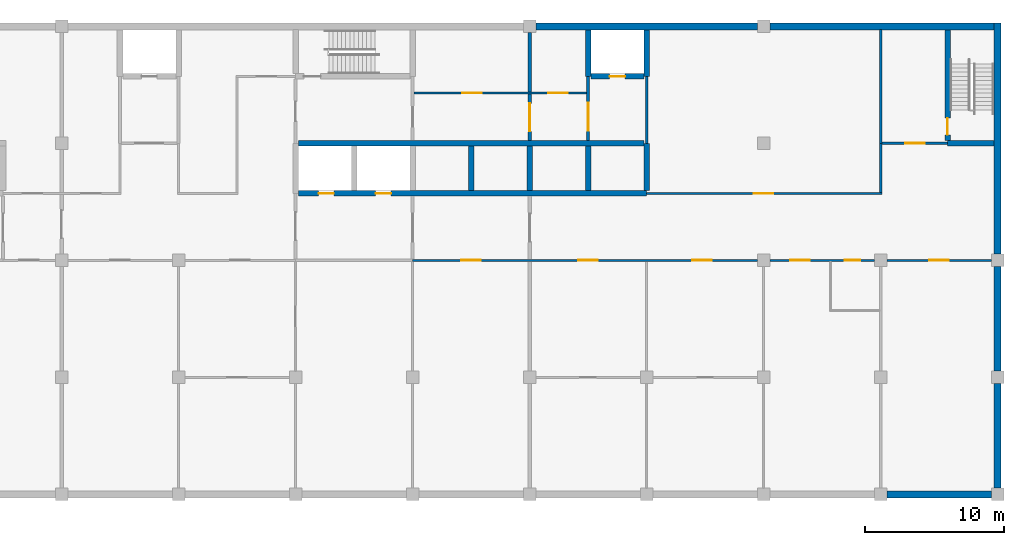
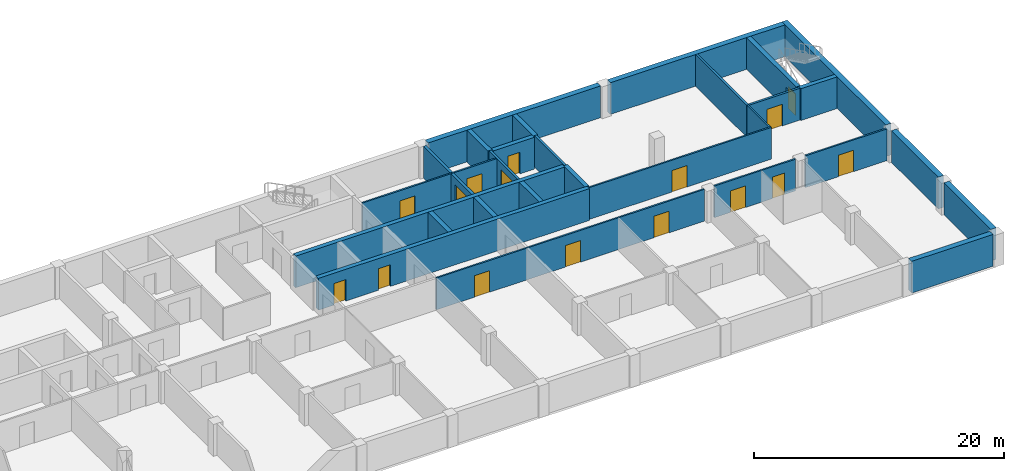
# One storey, part 6 of 12: 29 walls, 16 doors, 16 openings.
"""IFC4 building model written with IfcOpenShell, lengths in metres."""

from ifc_helpers import new_model, si_unit, direction, frame, frame_2d, origin, place, context, subcontext, project, spatial, rectangle, extrude, material, layer, layer_set, type_object, element, fill, save


model = new_model("IFC4")

# Units and contexts
model_context = context("Model", 3, precision=1e-05, world=origin(), true_north=direction((0.0, 1.0)))
body_context = subcontext(model_context, "Body", "Model", "MODEL_VIEW")
ifc_project = project(units=[si_unit("LENGTHUNIT", "METRE"), si_unit("AREAUNIT", "SQUARE_METRE"), si_unit("VOLUMEUNIT", "CUBIC_METRE"), si_unit("PLANEANGLEUNIT", "RADIAN"), si_unit("MASSUNIT", "GRAM", prefix="KILO")], contexts=[model_context])

# Site, building, storey
site_placement = place(None, origin())
site = spatial("IfcSite", under=ifc_project, at=site_placement, CompositionType="ELEMENT")
building_placement = place(site_placement, origin())
building = spatial("IfcBuilding", under=site, at=building_placement, Name="Yavir Park General Hospital", CompositionType="ELEMENT")
storey_placement = place(building_placement, frame((0.0, 0.0, -7.800048828125)))
storey = spatial("IfcBuildingStorey", under=building, at=storey_placement, Name="B2", CompositionType="ELEMENT", Elevation=-7.800048828125)

# Wall, opening, door
ifc_material_1 = material(Name="Concrete C30/37", Category="concrete")
ifc_layer_1 = layer(ifc_material_1, 0.25)
ifc_layer_set_1 = layer_set([ifc_layer_1], Name="Concrete C30/37")
wall_type_1 = type_object("IfcWallType", Name="Compartment fire wall 250, REI 150", PredefinedType="SOLIDWALL", material=ifc_layer_set_1)
wall_1_placement = place(storey_placement, frame((134.39990234375, 25.39990234375, 0.0), z_axis=(0.0, 0.0, 1.0), x_axis=(0.0, 1.0, 0.0)))
wall_1 = element("IfcWall", 1, at=wall_1_placement, inside=storey, type_object=wall_type_1, Name="FW25 B2-141", PredefinedType="SOLIDWALL", context=body_context, shape_type="SweptSolid", body=[
    extrude(rectangle(XDim=3.3251953125, YDim=0.25, at=frame_2d((1.66259765625, 0.0))), origin(), (0.0, 0.0, 1.0), 3.10009765625),
])
opening_1_placement = place(wall_1_placement, frame((0.66259765625, 0.0, 0.0)))
opening_1 = element("IfcOpeningElement", 2, at=opening_1_placement, cuts=wall_1, Name="Opening B2.D070", PredefinedType="OPENING", context=body_context, shape_type="SweptSolid", body=[
    extrude(rectangle(XDim=2.0, YDim=2.39990234375, at=frame_2d((1.0, 1.199951171875))), frame((0.0, 0.135009765625, 0.0), z_axis=(0.0, -1.0, 0.0), x_axis=(1.0, 0.0, 0.0)), (0.0, 0.0, 1.0), 0.27001953125),
])
ifc_material_2 = material(Name="Steel frame, fire-resisting leaves with vision panels", Category="steel")
door_type_1 = type_object("IfcDoorType", Name="Double fire door with vision panels 2000 x 2400, EI 60", OperationType="DOUBLE_DOOR_SINGLE_SWING", PredefinedType="DOOR", material=ifc_material_2)
door_1_placement = place(opening_1_placement, origin())
door_1 = element("IfcDoor", 3, at=door_1_placement, inside=storey, type_object=door_type_1, Name="B2.D070", OperationType="SINGLE_SWING_LEFT", OverallHeight=2.39990234375, OverallWidth=2.0, PredefinedType="DOOR", context=body_context, shape_type="SweptSolid", body=[
    extrude(rectangle(XDim=2.0, YDim=2.39990234375, at=frame_2d((1.0, 1.199951171875))), frame((0.0, 0.030029296875, 0.0), z_axis=(0.0, -1.0, 0.0), x_axis=(1.0, 0.0, 0.0)), (0.0, 0.0, 1.0), 0.06005859375),
])
fill(opening_1, door_1)

# Wall
wall_2_placement = place(storey_placement, frame((134.39990234375, 28.875, 0.0), z_axis=(0.0, 0.0, 1.0), x_axis=(0.0, 1.0, 0.0)))
element("IfcWall", 4, at=wall_2_placement, inside=storey, type_object=wall_type_1, Name="FW25 B2-142", PredefinedType="SOLIDWALL", context=body_context, shape_type="SweptSolid", body=[
    extrude(rectangle(XDim=4.27490234375, YDim=0.25, at=frame_2d((2.137451171875, 0.0))), origin(), (0.0, 0.0, 1.0), 3.10009765625),
])

# Wall, opening, door
ifc_material_3 = material(Name="Double gypsum board fire partition on steel studs", Category="steel")
ifc_layer_2 = layer(ifc_material_3, 0.199951171875)
ifc_layer_set_2 = layer_set([ifc_layer_2], Name="Double gypsum board fire partition on steel studs")
wall_type_2 = type_object("IfcWallType", Name="Fire-rated partition 200, EI 60", PredefinedType="PARTITIONING", material=ifc_layer_set_2)
wall_3_placement = place(storey_placement, frame((159.699951171875, 25.199951171875, 0.0), z_axis=(0.0, 0.0, 1.0), x_axis=(1.0, 0.0, 0.0)))
wall_3 = element("IfcWall", 5, at=wall_3_placement, inside=storey, type_object=wall_type_2, Name="FP20 B2-045", PredefinedType="PARTITIONING", context=body_context, shape_type="SweptSolid", body=[
    extrude(rectangle(XDim=4.699951171875, YDim=0.199951171875, at=frame_2d((2.35009765625, 0.0))), origin(), (0.0, 0.0, 1.0), 3.10009765625),
])
opening_2_placement = place(wall_3_placement, frame((1.64990234375, 0.0, 0.0)))
opening_2 = element("IfcOpeningElement", 6, at=opening_2_placement, cuts=wall_3, Name="Opening B2.D044", PredefinedType="OPENING", context=body_context, shape_type="SweptSolid", body=[
    extrude(rectangle(XDim=1.39990234375, YDim=2.10009765625, at=frame_2d((0.699951171875, 1.050048828125))), frame((0.0, 0.10986328125, 0.0), z_axis=(0.0, -1.0, 0.0), x_axis=(1.0, 0.0, 0.0)), (0.0, 0.0, 1.0), 0.219970703125),
])
ifc_material_4 = material(Name="Steel frame, fire-resisting leaves with vision panels", Category="steel")
door_type_2 = type_object("IfcDoorType", Name="Double fire door with vision panels 1400 x 2100, EI 60", OperationType="DOUBLE_DOOR_SINGLE_SWING", PredefinedType="DOOR", material=ifc_material_4)
door_2_placement = place(opening_2_placement, origin())
door_2 = element("IfcDoor", 7, at=door_2_placement, inside=storey, type_object=door_type_2, Name="B2.D044", OperationType="SINGLE_SWING_LEFT", OverallHeight=2.10009765625, OverallWidth=1.39990234375, PredefinedType="DOOR", context=body_context, shape_type="SweptSolid", body=[
    extrude(rectangle(XDim=1.39990234375, YDim=2.10009765625, at=frame_2d((0.699951171875, 1.050048828125))), frame((0.0, 0.030029296875, 0.0), z_axis=(0.0, -1.0, 0.0), x_axis=(1.0, 0.0, 0.0)), (0.0, 0.0, 1.0), 0.06005859375),
])
fill(opening_2, door_2)

wall_4_placement = place(storey_placement, frame((138.60009765625, 25.39990234375, 0.0), z_axis=(0.0, 0.0, 1.0), x_axis=(0.0, 1.0, 0.0)))
wall_4 = element("IfcWall", 8, at=wall_4_placement, inside=storey, type_object=wall_type_2, Name="FP20 B2-144", PredefinedType="PARTITIONING", context=body_context, shape_type="SweptSolid", body=[
    extrude(rectangle(XDim=4.60009765625, YDim=0.199951171875, at=frame_2d((2.300048828125, 0.0))), origin(), (0.0, 0.0, 1.0), 3.10009765625),
])
opening_3_placement = place(wall_4_placement, frame((0.699951171875, 0.0, 0.0)))
opening_3 = element("IfcOpeningElement", 9, at=opening_3_placement, cuts=wall_4, Name="Opening B2.D071", PredefinedType="OPENING", context=body_context, shape_type="SweptSolid", body=[
    extrude(rectangle(XDim=2.0, YDim=2.39990234375, at=frame_2d((1.0, 1.199951171875))), frame((0.0, 0.10986328125, 0.0), z_axis=(0.0, -1.0, 0.0), x_axis=(1.0, 0.0, 0.0)), (0.0, 0.0, 1.0), 0.219970703125),
])
door_3_placement = place(opening_3_placement, origin())
door_3 = element("IfcDoor", 10, at=door_3_placement, inside=storey, type_object=door_type_1, Name="B2.D071", OperationType="SINGLE_SWING_LEFT", OverallHeight=2.39990234375, OverallWidth=2.0, PredefinedType="DOOR", context=body_context, shape_type="SweptSolid", body=[
    extrude(rectangle(XDim=2.0, YDim=2.39990234375, at=frame_2d((1.0, 1.199951171875))), frame((0.0, 0.030029296875, 0.0), z_axis=(0.0, -1.0, 0.0), x_axis=(1.0, 0.0, 0.0)), (0.0, 0.0, 1.0), 0.06005859375),
])
fill(opening_3, door_3)

# Walls
wall_5_placement = place(storey_placement, frame((142.800048828125, 25.199951171875, 0.0), z_axis=(0.0, 0.0, 1.0), x_axis=(0.0, 1.0, 0.0)))
element("IfcWall", 11, at=wall_5_placement, inside=storey, type_object=wall_type_2, Name="FP20 B2-149", PredefinedType="PARTITIONING", context=body_context, shape_type="SweptSolid", body=[
    extrude(rectangle(XDim=4.800048828125, YDim=0.199951171875, at=frame_2d((2.39990234375, 0.0))), origin(), (0.0, 0.0, 1.0), 3.10009765625),
])
wall_6_placement = place(storey_placement, frame((159.60009765625, 25.199951171875, 0.0), z_axis=(0.0, 0.0, 1.0), x_axis=(0.0, 1.0, 0.0)))
element("IfcWall", 12, at=wall_6_placement, inside=storey, type_object=wall_type_2, Name="FP20 B2-157", PredefinedType="PARTITIONING", context=body_context, shape_type="SweptSolid", body=[
    extrude(rectangle(XDim=8.150146484375, YDim=0.199951171875, at=frame_2d((4.0751953125, 0.0))), origin(), (0.0, 0.0, 1.0), 3.10009765625),
])

# Wall, openings, doors
ifc_material_5 = material(Name="Gypsum board partition on steel studs", Category="steel")
ifc_layer_3 = layer(ifc_material_5, 0.14990234375)
ifc_layer_set_3 = layer_set([ifc_layer_3], Name="Gypsum board partition on steel studs")
wall_type_3 = type_object("IfcWallType", Name="Gypsum board partition 150", PredefinedType="PARTITIONING", material=ifc_layer_set_3)
wall_7_placement = place(storey_placement, frame((126.0, 16.800048828125, 0.0), z_axis=(0.0, 0.0, 1.0), x_axis=(1.0, 0.0, 0.0)))
wall_7 = element("IfcWall", 13, at=wall_7_placement, inside=storey, type_object=wall_type_3, Name="P15 B2-025", PredefinedType="PARTITIONING", context=body_context, shape_type="SweptSolid", body=[
    extrude(rectangle(XDim=24.75, YDim=0.14990234375, at=frame_2d((12.375, 0.0))), origin(), (0.0, 0.0, 1.0), 3.10009765625),
])
opening_4_placement = place(wall_7_placement, frame((3.5, 0.0, 0.0)))
opening_4 = element("IfcOpeningElement", 14, at=opening_4_placement, cuts=wall_7, Name="Opening B2.D024", PredefinedType="OPENING", context=body_context, shape_type="SweptSolid", body=[
    extrude(rectangle(XDim=1.39990234375, YDim=2.10009765625, at=frame_2d((0.699951171875, 1.050048828125))), frame((0.0, 0.0849609375, 0.0), z_axis=(0.0, -1.0, 0.0), x_axis=(1.0, 0.0, 0.0)), (0.0, 0.0, 1.0), 0.169921875),
])
opening_5_placement = place(wall_7_placement, frame((11.89990234375, 0.0, 0.0)))
opening_5 = element("IfcOpeningElement", 15, at=opening_5_placement, cuts=wall_7, Name="Opening B2.D025", PredefinedType="OPENING", context=body_context, shape_type="SweptSolid", body=[
    extrude(rectangle(XDim=1.39990234375, YDim=2.10009765625, at=frame_2d((0.699951171875, 1.050048828125))), frame((0.0, 0.0849609375, 0.0), z_axis=(0.0, -1.0, 0.0), x_axis=(1.0, 0.0, 0.0)), (0.0, 0.0, 1.0), 0.169921875),
])
opening_6_placement = place(wall_7_placement, frame((20.074951171875, 0.0, 0.0)))
opening_6 = element("IfcOpeningElement", 16, at=opening_6_placement, cuts=wall_7, Name="Opening B2.D026", PredefinedType="OPENING", context=body_context, shape_type="SweptSolid", body=[
    extrude(rectangle(XDim=1.39990234375, YDim=2.10009765625, at=frame_2d((0.699951171875, 1.050048828125))), frame((0.0, 0.0849609375, 0.0), z_axis=(0.0, -1.0, 0.0), x_axis=(1.0, 0.0, 0.0)), (0.0, 0.0, 1.0), 0.169921875),
])
ifc_material_6 = material(Name="Hollow metal frame, solid-core timber leaf", Category="wood")
door_type_3 = type_object("IfcDoorType", Name="Double swing door 1400 x 2100", OperationType="DOUBLE_DOOR_SINGLE_SWING", PredefinedType="DOOR", material=ifc_material_6)
door_4_placement = place(opening_4_placement, origin())
door_4 = element("IfcDoor", 17, at=door_4_placement, inside=storey, type_object=door_type_3, Name="B2.D024", OperationType="SINGLE_SWING_RIGHT", OverallHeight=2.10009765625, OverallWidth=1.39990234375, PredefinedType="DOOR", context=body_context, shape_type="SweptSolid", body=[
    extrude(rectangle(XDim=1.39990234375, YDim=2.10009765625, at=frame_2d((0.699951171875, 1.050048828125))), frame((0.0, 0.02490234375, 0.0), z_axis=(0.0, -1.0, 0.0), x_axis=(1.0, 0.0, 0.0)), (0.0, 0.0, 1.0), 0.050048828125),
])
fill(opening_4, door_4)
door_5_placement = place(opening_5_placement, origin())
door_5 = element("IfcDoor", 18, at=door_5_placement, inside=storey, type_object=door_type_3, Name="B2.D025", OperationType="SINGLE_SWING_LEFT", OverallHeight=2.10009765625, OverallWidth=1.39990234375, PredefinedType="DOOR", context=body_context, shape_type="SweptSolid", body=[
    extrude(rectangle(XDim=1.39990234375, YDim=2.10009765625, at=frame_2d((0.699951171875, 1.050048828125))), frame((0.0, 0.02490234375, 0.0), z_axis=(0.0, -1.0, 0.0), x_axis=(1.0, 0.0, 0.0)), (0.0, 0.0, 1.0), 0.050048828125),
])
fill(opening_5, door_5)
door_6_placement = place(opening_6_placement, origin())
door_6 = element("IfcDoor", 19, at=door_6_placement, inside=storey, type_object=door_type_3, Name="B2.D026", OperationType="SINGLE_SWING_LEFT", OverallHeight=2.10009765625, OverallWidth=1.39990234375, PredefinedType="DOOR", context=body_context, shape_type="SweptSolid", body=[
    extrude(rectangle(XDim=1.39990234375, YDim=2.10009765625, at=frame_2d((0.699951171875, 1.050048828125))), frame((0.0, 0.02490234375, 0.0), z_axis=(0.0, -1.0, 0.0), x_axis=(1.0, 0.0, 0.0)), (0.0, 0.0, 1.0), 0.050048828125),
])
fill(opening_6, door_6)

wall_8_placement = place(storey_placement, frame((151.64990234375, 16.800048828125, 0.0), z_axis=(0.0, 0.0, 1.0), x_axis=(1.0, 0.0, 0.0)))
wall_8 = element("IfcWall", 20, at=wall_8_placement, inside=storey, type_object=wall_type_3, Name="P15 B2-026", PredefinedType="PARTITIONING", context=body_context, shape_type="SweptSolid", body=[
    extrude(rectangle(XDim=7.5, YDim=0.14990234375, at=frame_2d((3.75, 0.0))), origin(), (0.0, 0.0, 1.0), 3.10009765625),
])
opening_7_placement = place(wall_8_placement, frame((1.47509765625, 0.0, 0.0)))
opening_7 = element("IfcOpeningElement", 21, at=opening_7_placement, cuts=wall_8, Name="Opening B2.D027", PredefinedType="OPENING", context=body_context, shape_type="SweptSolid", body=[
    extrude(rectangle(XDim=1.39990234375, YDim=2.10009765625, at=frame_2d((0.699951171875, 1.050048828125))), frame((0.0, 0.0849609375, 0.0), z_axis=(0.0, -1.0, 0.0), x_axis=(1.0, 0.0, 0.0)), (0.0, 0.0, 1.0), 0.169921875),
])
opening_8_placement = place(wall_8_placement, frame((5.375, 0.0, 0.0)))
opening_8 = element("IfcOpeningElement", 22, at=opening_8_placement, cuts=wall_8, Name="Opening B2.D028", PredefinedType="OPENING", context=body_context, shape_type="SweptSolid", body=[
    extrude(rectangle(XDim=1.10009765625, YDim=2.10009765625, at=frame_2d((0.550048828125, 1.050048828125))), frame((0.0, 0.0849609375, 0.0), z_axis=(0.0, -1.0, 0.0), x_axis=(1.0, 0.0, 0.0)), (0.0, 0.0, 1.0), 0.169921875),
])
door_7_placement = place(opening_7_placement, origin())
door_7 = element("IfcDoor", 23, at=door_7_placement, inside=storey, type_object=door_type_3, Name="B2.D027", OperationType="SINGLE_SWING_RIGHT", OverallHeight=2.10009765625, OverallWidth=1.39990234375, PredefinedType="DOOR", context=body_context, shape_type="SweptSolid", body=[
    extrude(rectangle(XDim=1.39990234375, YDim=2.10009765625, at=frame_2d((0.699951171875, 1.050048828125))), frame((0.0, 0.02490234375, 0.0), z_axis=(0.0, -1.0, 0.0), x_axis=(1.0, 0.0, 0.0)), (0.0, 0.0, 1.0), 0.050048828125),
])
fill(opening_7, door_7)
ifc_material_7 = material(Name="Hollow metal frame, solid-core timber leaf", Category="wood")
door_type_4 = type_object("IfcDoorType", Name="Single swing door 1100 x 2100", OperationType="SINGLE_SWING_LEFT", PredefinedType="DOOR", material=ifc_material_7)
door_8_placement = place(opening_8_placement, origin())
door_8 = element("IfcDoor", 24, at=door_8_placement, inside=storey, type_object=door_type_4, Name="B2.D028", OperationType="SINGLE_SWING_LEFT", OverallHeight=2.10009765625, OverallWidth=1.10009765625, PredefinedType="DOOR", context=body_context, shape_type="SweptSolid", body=[
    extrude(rectangle(XDim=1.10009765625, YDim=2.10009765625, at=frame_2d((0.550048828125, 1.050048828125))), frame((0.0, 0.02490234375, 0.0), z_axis=(0.0, -1.0, 0.0), x_axis=(1.0, 0.0, 0.0)), (0.0, 0.0, 1.0), 0.050048828125),
])
fill(opening_8, door_8)

# Wall, opening, door
wall_9_placement = place(storey_placement, frame((160.050048828125, 16.800048828125, 0.0), z_axis=(0.0, 0.0, 1.0), x_axis=(1.0, 0.0, 0.0)))
wall_9 = element("IfcWall", 25, at=wall_9_placement, inside=storey, type_object=wall_type_3, Name="P15 B2-027", PredefinedType="PARTITIONING", context=body_context, shape_type="SweptSolid", body=[
    extrude(rectangle(XDim=7.5, YDim=0.14990234375, at=frame_2d((3.75, 0.0))), origin(), (0.0, 0.0, 1.0), 3.10009765625),
])
opening_9_placement = place(wall_9_placement, frame((3.050048828125, 0.0, 0.0)))
opening_9 = element("IfcOpeningElement", 26, at=opening_9_placement, cuts=wall_9, Name="Opening B2.D029", PredefinedType="OPENING", context=body_context, shape_type="SweptSolid", body=[
    extrude(rectangle(XDim=1.39990234375, YDim=2.10009765625, at=frame_2d((0.699951171875, 1.050048828125))), frame((0.0, 0.0849609375, 0.0), z_axis=(0.0, -1.0, 0.0), x_axis=(1.0, 0.0, 0.0)), (0.0, 0.0, 1.0), 0.169921875),
])
door_9_placement = place(opening_9_placement, origin())
door_9 = element("IfcDoor", 27, at=door_9_placement, inside=storey, type_object=door_type_3, Name="B2.D029", OperationType="SINGLE_SWING_LEFT", OverallHeight=2.10009765625, OverallWidth=1.39990234375, PredefinedType="DOOR", context=body_context, shape_type="SweptSolid", body=[
    extrude(rectangle(XDim=1.39990234375, YDim=2.10009765625, at=frame_2d((0.699951171875, 1.050048828125))), frame((0.0, 0.02490234375, 0.0), z_axis=(0.0, -1.0, 0.0), x_axis=(1.0, 0.0, 0.0)), (0.0, 0.0, 1.0), 0.050048828125),
])
fill(opening_9, door_9)

wall_10_placement = place(storey_placement, frame((142.800048828125, 21.60009765625, 0.0), z_axis=(0.0, 0.0, 1.0), x_axis=(1.0, 0.0, 0.0)))
wall_10 = element("IfcWall", 28, at=wall_10_placement, inside=storey, type_object=wall_type_3, Name="P15 B2-036", PredefinedType="PARTITIONING", context=body_context, shape_type="SweptSolid", body=[
    extrude(rectangle(XDim=16.875, YDim=0.14990234375, at=frame_2d((8.4375, 0.0))), origin(), (0.0, 0.0, 1.0), 3.10009765625),
])
opening_10_placement = place(wall_10_placement, frame((7.699951171875, 0.0, 0.0)))
opening_10 = element("IfcOpeningElement", 29, at=opening_10_placement, cuts=wall_10, Name="Opening B2.D039", PredefinedType="OPENING", context=body_context, shape_type="SweptSolid", body=[
    extrude(rectangle(XDim=1.39990234375, YDim=2.10009765625, at=frame_2d((0.699951171875, 1.050048828125))), frame((0.0, 0.0849609375, 0.0), z_axis=(0.0, -1.0, 0.0), x_axis=(1.0, 0.0, 0.0)), (0.0, 0.0, 1.0), 0.169921875),
])
door_10_placement = place(opening_10_placement, origin())
door_10 = element("IfcDoor", 30, at=door_10_placement, inside=storey, type_object=door_type_3, Name="B2.D039", OperationType="SINGLE_SWING_LEFT", OverallHeight=2.10009765625, OverallWidth=1.39990234375, PredefinedType="DOOR", context=body_context, shape_type="SweptSolid", body=[
    extrude(rectangle(XDim=1.39990234375, YDim=2.10009765625, at=frame_2d((0.699951171875, 1.050048828125))), frame((0.0, 0.02490234375, 0.0), z_axis=(0.0, -1.0, 0.0), x_axis=(1.0, 0.0, 0.0)), (0.0, 0.0, 1.0), 0.050048828125),
])
fill(opening_10, door_10)

# Wall, openings, doors
wall_11_placement = place(storey_placement, frame((126.10009765625, 28.800048828125, 0.0), z_axis=(0.0, 0.0, 1.0), x_axis=(1.0, 0.0, 0.0)))
wall_11 = element("IfcWall", 31, at=wall_11_placement, inside=storey, type_object=wall_type_3, Name="P15 B2-047", PredefinedType="PARTITIONING", context=body_context, shape_type="SweptSolid", body=[
    extrude(rectangle(XDim=12.39990234375, YDim=0.14990234375, at=frame_2d((6.199951171875, 0.0))), origin(), (0.0, 0.0, 1.0), 3.10009765625),
])
opening_11_placement = place(wall_11_placement, frame((3.449951171875, 0.0, 0.0)))
opening_11 = element("IfcOpeningElement", 32, at=opening_11_placement, cuts=wall_11, Name="Opening B2.D045", PredefinedType="OPENING", context=body_context, shape_type="SweptSolid", body=[
    extrude(rectangle(XDim=1.39990234375, YDim=2.10009765625, at=frame_2d((0.699951171875, 1.050048828125))), frame((0.0, 0.0849609375, 0.0), z_axis=(0.0, -1.0, 0.0), x_axis=(1.0, 0.0, 0.0)), (0.0, 0.0, 1.0), 0.169921875),
])
opening_12_placement = place(wall_11_placement, frame((9.64990234375, 0.0, 0.0)))
opening_12 = element("IfcOpeningElement", 33, at=opening_12_placement, cuts=wall_11, Name="Opening B2.D046", PredefinedType="OPENING", context=body_context, shape_type="SweptSolid", body=[
    extrude(rectangle(XDim=1.39990234375, YDim=2.10009765625, at=frame_2d((0.699951171875, 1.050048828125))), frame((0.0, 0.0849609375, 0.0), z_axis=(0.0, -1.0, 0.0), x_axis=(1.0, 0.0, 0.0)), (0.0, 0.0, 1.0), 0.169921875),
])
door_11_placement = place(opening_11_placement, origin())
door_11 = element("IfcDoor", 34, at=door_11_placement, inside=storey, type_object=door_type_3, Name="B2.D045", OperationType="SINGLE_SWING_LEFT", OverallHeight=2.10009765625, OverallWidth=1.39990234375, PredefinedType="DOOR", context=body_context, shape_type="SweptSolid", body=[
    extrude(rectangle(XDim=1.39990234375, YDim=2.10009765625, at=frame_2d((0.699951171875, 1.050048828125))), frame((0.0, 0.02490234375, 0.0), z_axis=(0.0, -1.0, 0.0), x_axis=(1.0, 0.0, 0.0)), (0.0, 0.0, 1.0), 0.050048828125),
])
fill(opening_11, door_11)
door_12_placement = place(opening_12_placement, origin())
door_12 = element("IfcDoor", 35, at=door_12_placement, inside=storey, type_object=door_type_3, Name="B2.D046", OperationType="SINGLE_SWING_RIGHT", OverallHeight=2.10009765625, OverallWidth=1.39990234375, PredefinedType="DOOR", context=body_context, shape_type="SweptSolid", body=[
    extrude(rectangle(XDim=1.39990234375, YDim=2.10009765625, at=frame_2d((0.699951171875, 1.050048828125))), frame((0.0, 0.02490234375, 0.0), z_axis=(0.0, -1.0, 0.0), x_axis=(1.0, 0.0, 0.0)), (0.0, 0.0, 1.0), 0.050048828125),
])
fill(opening_12, door_12)

# Walls
wall_12_placement = place(storey_placement, frame((159.60009765625, 21.675048828125, 0.0), z_axis=(0.0, 0.0, 1.0), x_axis=(0.0, 1.0, 0.0)))
element("IfcWall", 36, at=wall_12_placement, inside=storey, type_object=wall_type_3, Name="P15 B2-156", PredefinedType="PARTITIONING", context=body_context, shape_type="SweptSolid", body=[
    extrude(rectangle(XDim=3.52490234375, YDim=0.14990234375, at=frame_2d((1.762451171875, 0.0))), origin(), (0.0, 0.0, 1.0), 3.10009765625),
])
ifc_material_8 = material(Name="Concrete C35/45", Category="concrete")
ifc_layer_4 = layer(ifc_material_8, 0.5)
ifc_layer_set_4 = layer_set([ifc_layer_4], Name="Concrete C35/45")
wall_type_4 = type_object("IfcWallType", Name="RC WALL RETAINING 500", PredefinedType="SOLIDWALL", material=ifc_layer_set_4)
wall_13_placement = place(storey_placement, frame((160.050048828125, 0.0, 0.0), z_axis=(0.0, 0.0, 1.0), x_axis=(1.0, 0.0, 0.0)))
element("IfcWall", 37, at=wall_13_placement, inside=storey, type_object=wall_type_4, Name="W:RET:B2:S19", PredefinedType="SOLIDWALL", context=body_context, shape_type="SweptSolid", body=[
    extrude(rectangle(XDim=7.5, YDim=0.5, at=frame_2d((3.75, 0.0))), origin(), (0.0, 0.0, 1.0), 3.10009765625),
])
wall_14_placement = place(storey_placement, frame((134.85009765625, 33.60009765625, 0.0), z_axis=(0.0, 0.0, 1.0), x_axis=(1.0, 0.0, 0.0)))
element("IfcWall", 38, at=wall_14_placement, inside=storey, type_object=wall_type_4, Name="W:RET:B2:N28", PredefinedType="SOLIDWALL", context=body_context, shape_type="SweptSolid", body=[
    extrude(rectangle(XDim=15.89990234375, YDim=0.5, at=frame_2d((7.949951171875, 0.0))), origin(), (0.0, 0.0, 1.0), 3.10009765625),
])
wall_15_placement = place(storey_placement, frame((151.64990234375, 33.60009765625, 0.0), z_axis=(0.0, 0.0, 1.0), x_axis=(1.0, 0.0, 0.0)))
element("IfcWall", 39, at=wall_15_placement, inside=storey, type_object=wall_type_4, Name="W:RET:B2:N29", PredefinedType="SOLIDWALL", context=body_context, shape_type="SweptSolid", body=[
    extrude(rectangle(XDim=16.10009765625, YDim=0.5, at=frame_2d((8.050048828125, 0.0))), origin(), (0.0, 0.0, 1.0), 3.10009765625),
])
for number, where, z_axis, x_axis, name in (
    (40, (168.0, 0.449951171875, 0.0), (0.0, 0.0, 1.0), (0.0, 1.0, 0.0), "W:RET:B2:E33"),
    (41, (168.0, 8.85009765625, 0.0), (0.0, 0.0, 1.0), (0.0, 1.0, 0.0), "W:RET:B2:E34"),
):
    element("IfcWall", number, at=place(storey_placement, frame(where, z_axis=z_axis, x_axis=x_axis)), inside=storey, type_object=wall_type_4, Name=name, PredefinedType="SOLIDWALL", context=body_context, shape_type="SweptSolid", body=[
        extrude(rectangle(XDim=7.5, YDim=0.5, at=frame_2d((3.75, 0.0))), origin(), (0.0, 0.0, 1.0), 3.10009765625),
    ])
wall_16_placement = place(storey_placement, frame((168.0, 17.25, 0.0), z_axis=(0.0, 0.0, 1.0), x_axis=(0.0, 1.0, 0.0)))
element("IfcWall", 42, at=wall_16_placement, inside=storey, type_object=wall_type_4, Name="W:RET:B2:E35", PredefinedType="SOLIDWALL", context=body_context, shape_type="SweptSolid", body=[
    extrude(rectangle(XDim=16.60009765625, YDim=0.5, at=frame_2d((8.300048828125, 0.0))), origin(), (0.0, 0.0, 1.0), 3.10009765625),
])

# Wall, openings, doors
ifc_material_9 = material(Name="Concrete C35/45", Category="concrete")
ifc_layer_5 = layer(ifc_material_9, 0.39990234375)
ifc_layer_set_5 = layer_set([ifc_layer_5], Name="Concrete C35/45")
wall_type_5 = type_object("IfcWallType", Name="Reinforced concrete core wall 400, REI 150", PredefinedType="SHEAR", material=ifc_layer_set_5)
wall_17_placement = place(storey_placement, frame((117.800048828125, 21.60009765625, 0.0), z_axis=(0.0, 0.0, 1.0), x_axis=(1.0, 0.0, 0.0)))
wall_17 = element("IfcWall", 43, at=wall_17_placement, inside=storey, type_object=wall_type_5, Name="CW40 B2-035", PredefinedType="SHEAR", context=body_context, shape_type="SweptSolid", body=[
    extrude(rectangle(XDim=25.0, YDim=0.39990234375, at=frame_2d((12.5, 0.0))), origin(), (0.0, 0.0, 1.0), 3.10009765625),
])
opening_13_placement = place(wall_17_placement, frame((1.449951171875, 0.0, 0.0)))
opening_13 = element("IfcOpeningElement", 44, at=opening_13_placement, cuts=wall_17, Name="Opening B2.D037", PredefinedType="OPENING", context=body_context, shape_type="SweptSolid", body=[
    extrude(rectangle(XDim=1.10009765625, YDim=2.10009765625, at=frame_2d((0.550048828125, 1.050048828125))), frame((0.0, 0.2099609375, 0.0), z_axis=(0.0, -1.0, 0.0), x_axis=(1.0, 0.0, 0.0)), (0.0, 0.0, 1.0), 0.419921875),
])
opening_14_placement = place(wall_17_placement, frame((5.550048828125, 0.0, 0.0)))
opening_14 = element("IfcOpeningElement", 45, at=opening_14_placement, cuts=wall_17, Name="Opening B2.D038", PredefinedType="OPENING", context=body_context, shape_type="SweptSolid", body=[
    extrude(rectangle(XDim=1.10009765625, YDim=2.10009765625, at=frame_2d((0.550048828125, 1.050048828125))), frame((0.0, 0.2099609375, 0.0), z_axis=(0.0, -1.0, 0.0), x_axis=(1.0, 0.0, 0.0)), (0.0, 0.0, 1.0), 0.419921875),
])
ifc_material_10 = material(Name="Stainless steel landing door panels", Category="steel")
door_type_5 = type_object("IfcDoorType", Name="Lift landing door 1100 x 2100, EI 60", OperationType="SLIDING_TO_LEFT", PredefinedType="DOOR", material=ifc_material_10)
door_13_placement = place(opening_13_placement, origin())
door_13 = element("IfcDoor", 46, at=door_13_placement, inside=storey, type_object=door_type_5, Name="B2.D037", OperationType="SLIDING_TO_LEFT", OverallHeight=2.10009765625, OverallWidth=1.10009765625, PredefinedType="DOOR", context=body_context, shape_type="SweptSolid", body=[
    extrude(rectangle(XDim=1.10009765625, YDim=2.10009765625, at=frame_2d((0.550048828125, 1.050048828125))), frame((0.0, 0.02490234375, 0.0), z_axis=(0.0, -1.0, 0.0), x_axis=(1.0, 0.0, 0.0)), (0.0, 0.0, 1.0), 0.050048828125),
])
fill(opening_13, door_13)
door_14_placement = place(opening_14_placement, origin())
door_14 = element("IfcDoor", 47, at=door_14_placement, inside=storey, type_object=door_type_5, Name="B2.D038", OperationType="SLIDING_TO_LEFT", OverallHeight=2.10009765625, OverallWidth=1.10009765625, PredefinedType="DOOR", context=body_context, shape_type="SweptSolid", body=[
    extrude(rectangle(XDim=1.10009765625, YDim=2.10009765625, at=frame_2d((0.550048828125, 1.050048828125))), frame((0.0, 0.02490234375, 0.0), z_axis=(0.0, -1.0, 0.0), x_axis=(1.0, 0.0, 0.0)), (0.0, 0.0, 1.0), 0.050048828125),
])
fill(opening_14, door_14)

# Walls
wall_18_placement = place(storey_placement, frame((117.800048828125, 25.199951171875, 0.0), z_axis=(0.0, 0.0, 1.0), x_axis=(1.0, 0.0, 0.0)))
element("IfcWall", 48, at=wall_18_placement, inside=storey, type_object=wall_type_5, Name="CW40 B2-044", PredefinedType="SHEAR", context=body_context, shape_type="SweptSolid", body=[
    extrude(rectangle(XDim=24.800048828125, YDim=0.39990234375, at=frame_2d((12.39990234375, 0.0))), origin(), (0.0, 0.0, 1.0), 3.10009765625),
])
wall_19_placement = place(storey_placement, frame((164.39990234375, 25.199951171875, 0.0), z_axis=(0.0, 0.0, 1.0), x_axis=(1.0, 0.0, 0.0)))
element("IfcWall", 49, at=wall_19_placement, inside=storey, type_object=wall_type_5, Name="CW40 B2-046", PredefinedType="SHEAR", context=body_context, shape_type="SweptSolid", body=[
    extrude(rectangle(XDim=3.35009765625, YDim=0.39990234375, at=frame_2d((1.675048828125, 0.0))), origin(), (0.0, 0.0, 1.0), 3.10009765625),
])

# Wall, opening, door
wall_20_placement = place(storey_placement, frame((138.800048828125, 30.0, 0.0), z_axis=(0.0, 0.0, 1.0), x_axis=(1.0, 0.0, 0.0)))
wall_20 = element("IfcWall", 50, at=wall_20_placement, inside=storey, type_object=wall_type_5, Name="CW40 B2-053", PredefinedType="SHEAR", context=body_context, shape_type="SweptSolid", body=[
    extrude(rectangle(XDim=3.800048828125, YDim=0.39990234375, at=frame_2d((1.89990234375, 0.0))), origin(), (0.0, 0.0, 1.0), 3.10009765625),
])
opening_15_placement = place(wall_20_placement, frame((1.35009765625, 0.0, 0.0)))
opening_15 = element("IfcOpeningElement", 51, at=opening_15_placement, cuts=wall_20, Name="Opening B2.D053", PredefinedType="OPENING", context=body_context, shape_type="SweptSolid", body=[
    extrude(rectangle(XDim=1.10009765625, YDim=2.10009765625, at=frame_2d((0.550048828125, 1.050048828125))), frame((0.0, 0.2099609375, 0.0), z_axis=(0.0, -1.0, 0.0), x_axis=(1.0, 0.0, 0.0)), (0.0, 0.0, 1.0), 0.419921875),
])
door_15_placement = place(opening_15_placement, origin())
door_15 = element("IfcDoor", 52, at=door_15_placement, inside=storey, type_object=door_type_5, Name="B2.D053", OperationType="SLIDING_TO_LEFT", OverallHeight=2.10009765625, OverallWidth=1.10009765625, PredefinedType="DOOR", context=body_context, shape_type="SweptSolid", body=[
    extrude(rectangle(XDim=1.10009765625, YDim=2.10009765625, at=frame_2d((0.550048828125, 1.050048828125))), frame((0.0, 0.02490234375, 0.0), z_axis=(0.0, -1.0, 0.0), x_axis=(1.0, 0.0, 0.0)), (0.0, 0.0, 1.0), 0.050048828125),
])
fill(opening_15, door_15)

# Walls
for number, where, z_axis, x_axis, name in (
    (53, (130.199951171875, 21.800048828125, 0.0), (0.0, 0.0, 1.0), (0.0, 1.0, 0.0), "CW40 B2-136"),
    (54, (134.39990234375, 21.800048828125, 0.0), (0.0, 0.0, 1.0), (0.0, 1.0, 0.0), "CW40 B2-140"),
    (55, (138.60009765625, 21.800048828125, 0.0), (0.0, 0.0, 1.0), (0.0, 1.0, 0.0), "CW40 B2-143"),
):
    element("IfcWall", number, at=place(storey_placement, frame(where, z_axis=z_axis, x_axis=x_axis)), inside=storey, type_object=wall_type_5, Name=name, PredefinedType="SHEAR", context=body_context, shape_type="SweptSolid", body=[
        extrude(rectangle(XDim=3.199951171875, YDim=0.39990234375, at=frame_2d((1.60009765625, 0.0))), origin(), (0.0, 0.0, 1.0), 3.10009765625),
    ])
wall_21_placement = place(storey_placement, frame((138.60009765625, 30.0, 0.0), z_axis=(0.0, 0.0, 1.0), x_axis=(0.0, 1.0, 0.0)))
element("IfcWall", 56, at=wall_21_placement, inside=storey, type_object=wall_type_5, Name="CW40 B2-145", PredefinedType="SHEAR", context=body_context, shape_type="SweptSolid", body=[
    extrude(rectangle(XDim=3.35009765625, YDim=0.39990234375, at=frame_2d((1.675048828125, 0.0))), origin(), (0.0, 0.0, 1.0), 3.10009765625),
])
wall_22_placement = place(storey_placement, frame((142.800048828125, 21.800048828125, 0.0), z_axis=(0.0, 0.0, 1.0), x_axis=(0.0, 1.0, 0.0)))
element("IfcWall", 57, at=wall_22_placement, inside=storey, type_object=wall_type_5, Name="CW40 B2-148", PredefinedType="SHEAR", context=body_context, shape_type="SweptSolid", body=[
    extrude(rectangle(XDim=3.39990234375, YDim=0.39990234375, at=frame_2d((1.699951171875, 0.0))), origin(), (0.0, 0.0, 1.0), 3.10009765625),
])
wall_23_placement = place(storey_placement, frame((142.800048828125, 30.0, 0.0), z_axis=(0.0, 0.0, 1.0), x_axis=(0.0, 1.0, 0.0)))
element("IfcWall", 58, at=wall_23_placement, inside=storey, type_object=wall_type_5, Name="CW40 B2-150", PredefinedType="SHEAR", context=body_context, shape_type="SweptSolid", body=[
    extrude(rectangle(XDim=3.35009765625, YDim=0.39990234375, at=frame_2d((1.675048828125, 0.0))), origin(), (0.0, 0.0, 1.0), 3.10009765625),
])

# Wall, opening, door
wall_24_placement = place(storey_placement, frame((164.39990234375, 25.39990234375, 0.0), z_axis=(0.0, 0.0, 1.0), x_axis=(0.0, 1.0, 0.0)))
wall_24 = element("IfcWall", 59, at=wall_24_placement, inside=storey, type_object=wall_type_5, Name="CW40 B2-158", PredefinedType="SHEAR", context=body_context, shape_type="SweptSolid", body=[
    extrude(rectangle(XDim=7.9501953125, YDim=0.39990234375, at=frame_2d((3.97509765625, 0.0))), origin(), (0.0, 0.0, 1.0), 3.10009765625),
])
opening_16_placement = place(wall_24_placement, frame((0.39990234375, 0.0, 0.0)))
opening_16 = element("IfcOpeningElement", 60, at=opening_16_placement, cuts=wall_24, Name="Opening B2.D072", PredefinedType="OPENING", context=body_context, shape_type="SweptSolid", body=[
    extrude(rectangle(XDim=1.199951171875, YDim=2.10009765625, at=frame_2d((0.60009765625, 1.050048828125))), frame((0.0, 0.2099609375, 0.0), z_axis=(0.0, -1.0, 0.0), x_axis=(1.0, 0.0, 0.0)), (0.0, 0.0, 1.0), 0.419921875),
])
ifc_material_11 = material(Name="Steel frame, fire-resisting timber leaf", Category="steel")
door_type_6 = type_object("IfcDoorType", Name="Fire door 1200 x 2100, EI 60", OperationType="SINGLE_SWING_LEFT", PredefinedType="DOOR", material=ifc_material_11)
door_16_placement = place(opening_16_placement, origin())
door_16 = element("IfcDoor", 61, at=door_16_placement, inside=storey, type_object=door_type_6, Name="B2.D072", OperationType="SINGLE_SWING_LEFT", OverallHeight=2.10009765625, OverallWidth=1.199951171875, PredefinedType="DOOR", context=body_context, shape_type="SweptSolid", body=[
    extrude(rectangle(XDim=1.199951171875, YDim=2.10009765625, at=frame_2d((0.60009765625, 1.050048828125))), frame((0.0, 0.02490234375, 0.0), z_axis=(0.0, -1.0, 0.0), x_axis=(1.0, 0.0, 0.0)), (0.0, 0.0, 1.0), 0.050048828125),
])
fill(opening_16, door_16)

save(model, "model.ifc")
